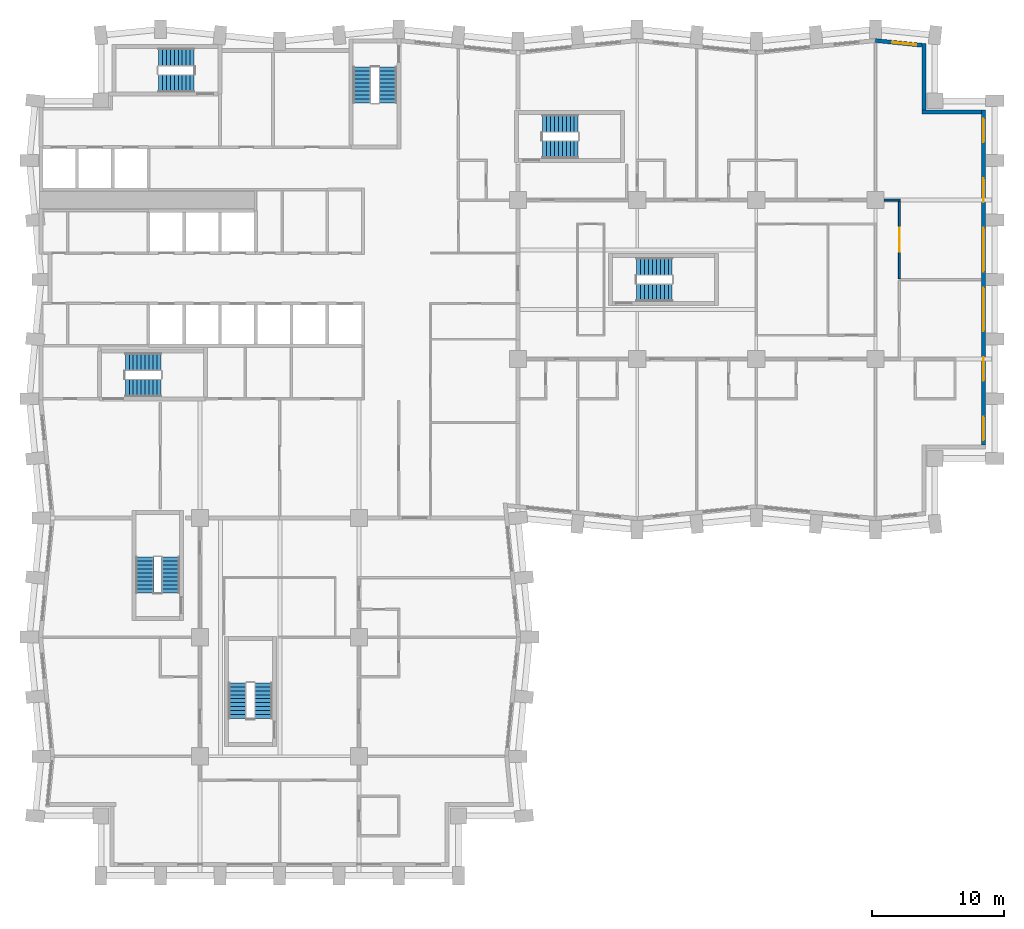
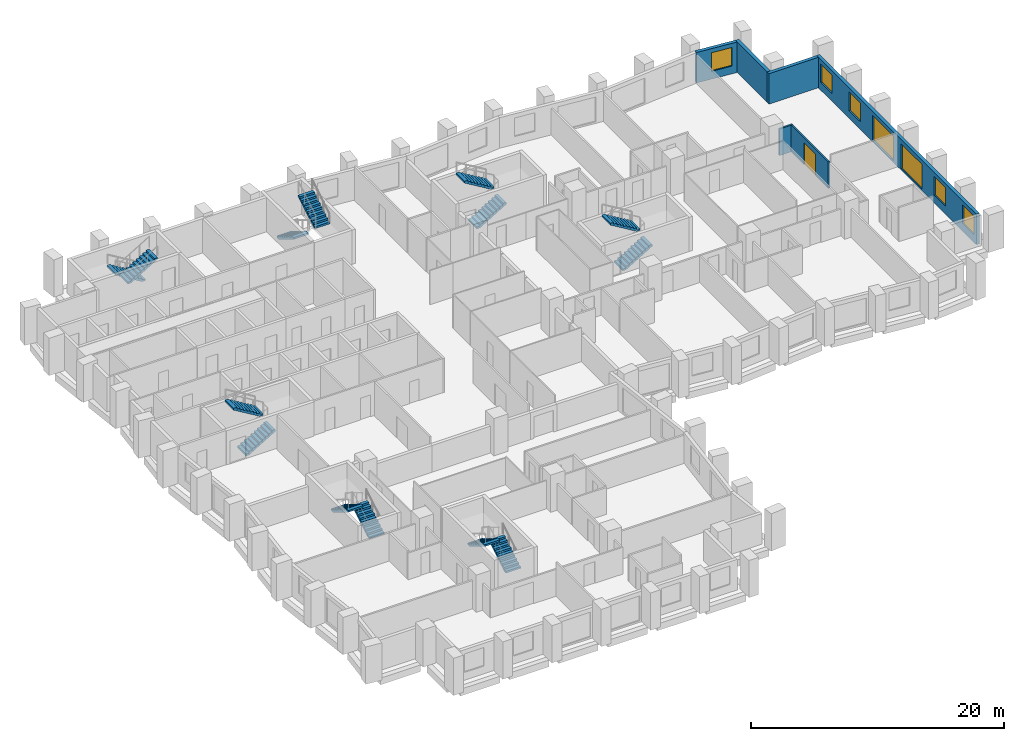
# One storey, part 10 of 12: 14 stair flights, 7 windows, 6 walls, 1 door, 8 openings, 7 elements without a shape of their own.
"""IFC4 building model written with IfcOpenShell, lengths in metres."""

from ifc_helpers import new_model, si_unit, direction, frame, frame_2d, origin, place, context, subcontext, project, spatial, polyline, rectangle, outline, extrude, material, layer, layer_set, type_object, element, fill, aggregate, save


model = new_model("IFC4")

# Units and contexts
model_context = context("Model", 3, precision=1e-05, world=origin(), true_north=direction((0.0, 1.0)))
body_context = subcontext(model_context, "Body", "Model", "MODEL_VIEW")
ifc_project = project(units=[si_unit("LENGTHUNIT", "METRE"), si_unit("AREAUNIT", "SQUARE_METRE"), si_unit("VOLUMEUNIT", "CUBIC_METRE"), si_unit("PLANEANGLEUNIT", "RADIAN"), si_unit("MASSUNIT", "GRAM", prefix="KILO")], contexts=[model_context])

# Site, building, storey
site_placement = place(None, origin())
site = spatial("IfcSite", under=ifc_project, at=site_placement, CompositionType="ELEMENT")
building_placement = place(site_placement, origin())
building = spatial("IfcBuilding", under=site, at=building_placement, Name="Brondeck Convention Tower", CompositionType="ELEMENT")
storey_placement = place(building_placement, frame((0.0, 0.0, 51.89990234375)))
storey = spatial("IfcBuildingStorey", under=building, at=storey_placement, Name="L10", CompositionType="ELEMENT", Elevation=51.89990234375)

# Wall, openings, windows
ifc_material_1 = material(Name="Precast concrete C50/60 bronze finish", Category="concrete")
ifc_layer_1 = layer(ifc_material_1, 0.070068359375, Name="Bronze precast facing")
ifc_material_2 = material(Name="Mineral wool")
ifc_layer_2 = layer(ifc_material_2, 0.159912109375, Name="Insulation")
ifc_material_3 = material(Name="Concrete C35/45", Category="concrete")
ifc_layer_3 = layer(ifc_material_3, 0.070068359375, Name="Backing")
ifc_layer_set_1 = layer_set([ifc_layer_1, ifc_layer_2, ifc_layer_3], Name="External infill wall, precast concrete C50/60 bronze facing")
wall_type_1 = type_object("IfcWallType", Name="External infill wall, precast concrete C50/60 bronze facing", PredefinedType="SOLIDWALL", material=ifc_layer_set_1)
wall_1_placement = place(storey_placement, frame((71.14990234375, 57.800048828125, 0.0), z_axis=(0.0, 0.0, 1.0), x_axis=(0.0, -1.0, 0.0)))
wall_1 = element("IfcWall", 1, at=wall_1_placement, inside=storey, type_object=wall_type_1, Name="ENV-EW-L10-P0-A-E72-01", PredefinedType="SOLIDWALL", context=body_context, shape_type="SweptSolid", body=[
    extrude(rectangle(XDim=25.302001953125, YDim=0.300048828125, at=frame_2d((12.65087890625, 0.0))), origin(), (0.0, 0.0, 1.0), 2.9501953125),
])
opening_1_placement = place(wall_1_placement, frame((0.64990234375, 0.0, 0.75)))
opening_1 = element("IfcOpeningElement", 2, at=opening_1_placement, cuts=wall_1, Name="Opening W10", PredefinedType="OPENING", context=body_context, shape_type="SweptSolid", body=[
    extrude(rectangle(XDim=1.800048828125, YDim=1.800048828125, at=frame_2d((0.89990234375, 0.89990234375))), frame((0.0, 0.159912109375, 0.0), z_axis=(0.0, -1.0, 0.0), x_axis=(1.0, 0.0, 0.0)), (0.0, 0.0, 1.0), 0.320068359375),
])
opening_2_placement = place(wall_1_placement, frame((5.14990234375, 0.0, 0.75)))
opening_2 = element("IfcOpeningElement", 3, at=opening_2_placement, cuts=wall_1, Name="Opening W10", PredefinedType="OPENING", context=body_context, shape_type="SweptSolid", body=[
    extrude(rectangle(XDim=1.800048828125, YDim=1.800048828125, at=frame_2d((0.89990234375, 0.89990234375))), frame((0.0, 0.159912109375, 0.0), z_axis=(0.0, -1.0, 0.0), x_axis=(1.0, 0.0, 0.0)), (0.0, 0.0, 1.0), 0.320068359375),
])
opening_3_placement = place(wall_1_placement, frame((8.89990234375, 0.0, 0.14990234375)))
opening_3 = element("IfcOpeningElement", 4, at=opening_3_placement, cuts=wall_1, Name="Opening W9", PredefinedType="OPENING", context=body_context, shape_type="SweptSolid", body=[
    extrude(rectangle(XDim=3.300048828125, YDim=2.39990234375, at=frame_2d((1.64990234375, 1.199951171875))), frame((0.0, 0.159912109375, 0.0), z_axis=(0.0, -1.0, 0.0), x_axis=(1.0, 0.0, 0.0)), (0.0, 0.0, 1.0), 0.320068359375),
])
opening_4_placement = place(wall_1_placement, frame((13.39990234375, 0.0, 0.14990234375)))
opening_4 = element("IfcOpeningElement", 5, at=opening_4_placement, cuts=wall_1, Name="Opening W9", PredefinedType="OPENING", context=body_context, shape_type="SweptSolid", body=[
    extrude(rectangle(XDim=3.300048828125, YDim=2.39990234375, at=frame_2d((1.64990234375, 1.199951171875))), frame((0.0, 0.159912109375, 0.0), z_axis=(0.0, -1.0, 0.0), x_axis=(1.0, 0.0, 0.0)), (0.0, 0.0, 1.0), 0.320068359375),
])
opening_5_placement = place(wall_1_placement, frame((18.64990234375, 0.0, 0.75)))
opening_5 = element("IfcOpeningElement", 6, at=opening_5_placement, cuts=wall_1, Name="Opening W10", PredefinedType="OPENING", context=body_context, shape_type="SweptSolid", body=[
    extrude(rectangle(XDim=1.800048828125, YDim=1.800048828125, at=frame_2d((0.89990234375, 0.89990234375))), frame((0.0, 0.159912109375, 0.0), z_axis=(0.0, -1.0, 0.0), x_axis=(1.0, 0.0, 0.0)), (0.0, 0.0, 1.0), 0.320068359375),
])
opening_6_placement = place(wall_1_placement, frame((23.14990234375, 0.0, 0.75)))
opening_6 = element("IfcOpeningElement", 7, at=opening_6_placement, cuts=wall_1, Name="Opening W10", PredefinedType="OPENING", context=body_context, shape_type="SweptSolid", body=[
    extrude(rectangle(XDim=1.800048828125, YDim=1.800048828125, at=frame_2d((0.89990234375, 0.89990234375))), frame((0.0, 0.159912109375, 0.0), z_axis=(0.0, -1.0, 0.0), x_axis=(1.0, 0.0, 0.0)), (0.0, 0.0, 1.0), 0.320068359375),
])
ifc_material_4 = material(Name="Bronze tinted double glazing", Category="glass")
window_type_1 = type_object("IfcWindowType", Name="Glazed flute window, bronze tinted", PartitioningType="SINGLE_PANEL", PredefinedType="WINDOW", material=ifc_material_4)
window_1_placement = place(opening_3_placement, origin())
window_1 = element("IfcWindow", 8, at=window_1_placement, inside=storey, type_object=window_type_1, Name="ENV-WN-L10-P0-A-E72-04", OverallHeight=2.39990234375, OverallWidth=3.300048828125, PartitioningType="SINGLE_PANEL", PredefinedType="WINDOW", context=body_context, shape_type="SweptSolid", body=[
    extrude(rectangle(XDim=3.300048828125, YDim=2.39990234375, at=frame_2d((1.64990234375, 1.199951171875))), frame((0.0, 0.030029296875, 0.0), z_axis=(0.0, -1.0, 0.0), x_axis=(1.0, 0.0, 0.0)), (0.0, 0.0, 1.0), 0.06005859375),
])
fill(opening_3, window_1)
window_2_placement = place(opening_4_placement, origin())
window_2 = element("IfcWindow", 9, at=window_2_placement, inside=storey, type_object=window_type_1, Name="ENV-WN-L10-P0-A-E72-03", OverallHeight=2.39990234375, OverallWidth=3.300048828125, PartitioningType="SINGLE_PANEL", PredefinedType="WINDOW", context=body_context, shape_type="SweptSolid", body=[
    extrude(rectangle(XDim=3.300048828125, YDim=2.39990234375, at=frame_2d((1.64990234375, 1.199951171875))), frame((0.0, 0.030029296875, 0.0), z_axis=(0.0, -1.0, 0.0), x_axis=(1.0, 0.0, 0.0)), (0.0, 0.0, 1.0), 0.06005859375),
])
fill(opening_4, window_2)
window_type_2 = type_object("IfcWindowType", Name="Punched window, bronze tinted", PartitioningType="SINGLE_PANEL", PredefinedType="WINDOW", material=ifc_material_4)
window_3_placement = place(opening_1_placement, origin())
window_3 = element("IfcWindow", 10, at=window_3_placement, inside=storey, type_object=window_type_2, Name="ENV-WN-L10-P0-A-E72-06", OverallHeight=1.800048828125, OverallWidth=1.800048828125, PartitioningType="SINGLE_PANEL", PredefinedType="WINDOW", context=body_context, shape_type="SweptSolid", body=[
    extrude(rectangle(XDim=1.800048828125, YDim=1.800048828125, at=frame_2d((0.89990234375, 0.89990234375))), frame((0.0, 0.030029296875, 0.0), z_axis=(0.0, -1.0, 0.0), x_axis=(1.0, 0.0, 0.0)), (0.0, 0.0, 1.0), 0.06005859375),
])
fill(opening_1, window_3)
window_4_placement = place(opening_2_placement, origin())
window_4 = element("IfcWindow", 11, at=window_4_placement, inside=storey, type_object=window_type_2, Name="ENV-WN-L10-P0-A-E72-05", OverallHeight=1.800048828125, OverallWidth=1.800048828125, PartitioningType="SINGLE_PANEL", PredefinedType="WINDOW", context=body_context, shape_type="SweptSolid", body=[
    extrude(rectangle(XDim=1.800048828125, YDim=1.800048828125, at=frame_2d((0.89990234375, 0.89990234375))), frame((0.0, 0.030029296875, 0.0), z_axis=(0.0, -1.0, 0.0), x_axis=(1.0, 0.0, 0.0)), (0.0, 0.0, 1.0), 0.06005859375),
])
fill(opening_2, window_4)
window_5_placement = place(opening_5_placement, origin())
window_5 = element("IfcWindow", 12, at=window_5_placement, inside=storey, type_object=window_type_2, Name="ENV-WN-L10-P0-A-E72-02", OverallHeight=1.800048828125, OverallWidth=1.800048828125, PartitioningType="SINGLE_PANEL", PredefinedType="WINDOW", context=body_context, shape_type="SweptSolid", body=[
    extrude(rectangle(XDim=1.800048828125, YDim=1.800048828125, at=frame_2d((0.89990234375, 0.89990234375))), frame((0.0, 0.030029296875, 0.0), z_axis=(0.0, -1.0, 0.0), x_axis=(1.0, 0.0, 0.0)), (0.0, 0.0, 1.0), 0.06005859375),
])
fill(opening_5, window_5)
window_6_placement = place(opening_6_placement, origin())
window_6 = element("IfcWindow", 13, at=window_6_placement, inside=storey, type_object=window_type_2, Name="ENV-WN-L10-P0-A-E72-01", OverallHeight=1.800048828125, OverallWidth=1.800048828125, PartitioningType="SINGLE_PANEL", PredefinedType="WINDOW", context=body_context, shape_type="SweptSolid", body=[
    extrude(rectangle(XDim=1.800048828125, YDim=1.800048828125, at=frame_2d((0.89990234375, 0.89990234375))), frame((0.0, 0.030029296875, 0.0), z_axis=(0.0, -1.0, 0.0), x_axis=(1.0, 0.0, 0.0)), (0.0, 0.0, 1.0), 0.06005859375),
])
fill(opening_6, window_6)

# Walls
wall_2_placement = place(storey_placement, frame((66.5, 57.64990234375, 0.0), z_axis=(0.0, 0.0, 1.0), x_axis=(1.0, 0.0, 0.0)))
element("IfcWall", 14, at=wall_2_placement, inside=storey, type_object=wall_type_1, Name="ENV-EW-L10-P0-NC-NEA72-01", PredefinedType="SOLIDWALL", context=body_context, shape_type="SweptSolid", body=[
    extrude(rectangle(XDim=4.5, YDim=0.300048828125, at=frame_2d((2.25, 0.0))), origin(), (0.0, 0.0, 1.0), 2.9501953125),
])
wall_3_placement = place(storey_placement, frame((66.64990234375, 62.81640625, 0.0), z_axis=(0.0, 0.0, 1.0), x_axis=(0.0, -1.0, 0.0)))
element("IfcWall", 15, at=wall_3_placement, inside=storey, type_object=wall_type_1, Name="ENV-EW-L10-P0-NC-NEA72-02", PredefinedType="SOLIDWALL", context=body_context, shape_type="SweptSolid", body=[
    extrude(rectangle(XDim=5.018310546875, YDim=0.300048828125, at=frame_2d((2.50927734375, 0.0))), origin(), (0.0, 0.0, 1.0), 2.9501953125),
])

# Wall, opening, window
wall_4_placement = place(storey_placement, frame((62.985107421875, 63.04736328125, 0.0), z_axis=(0.0, 0.0, 1.0), x_axis=(0.995031712439, -0.099558481511, 0.0)))
wall_4 = element("IfcWall", 16, at=wall_4_placement, inside=storey, type_object=wall_type_1, Name="ENV-EW-L10-P0-A-N-14", PredefinedType="SOLIDWALL", context=body_context, shape_type="SweptSolid", body=[
    extrude(rectangle(XDim=3.53125, YDim=0.300048828125, at=frame_2d((1.765625, 0.0))), origin(), (0.0, 0.0, 1.0), 2.9501953125),
])
opening_7_placement = place(wall_4_placement, frame((1.291259765625, 0.0, 0.75)))
opening_7 = element("IfcOpeningElement", 17, at=opening_7_placement, cuts=wall_4, Name="Opening W10", PredefinedType="OPENING", context=body_context, shape_type="SweptSolid", body=[
    extrude(rectangle(XDim=1.800048828125, YDim=1.800048828125, at=frame_2d((0.89990234375, 0.89990234375))), frame((0.0, 0.159912109375, 0.0), z_axis=(0.0, -1.0, 0.0), x_axis=(1.0, 0.0, 0.0)), (0.0, 0.0, 1.0), 0.320068359375),
])
window_7_placement = place(opening_7_placement, origin())
window_7 = element("IfcWindow", 18, at=window_7_placement, inside=storey, type_object=window_type_2, Name="ENV-WN-L10-P0-A-N-14", OverallHeight=1.800048828125, OverallWidth=1.800048828125, PartitioningType="SINGLE_PANEL", PredefinedType="WINDOW", context=body_context, shape_type="SweptSolid", body=[
    extrude(rectangle(XDim=1.800048828125, YDim=1.800048828125, at=frame_2d((0.89990234375, 0.89990234375))), frame((0.0, 0.030029296875, 0.0), z_axis=(0.0, -1.0, 0.0), x_axis=(1.0, 0.0, 0.0)), (0.0, 0.0, 1.0), 0.06005859375),
])
fill(opening_7, window_7)

# Wall, opening, door
ifc_material_5 = material(Name="Double gypsum board acoustic wall")
ifc_layer_4 = layer(ifc_material_5, 0.14990234375)
ifc_layer_set_2 = layer_set([ifc_layer_4], Name="Guest room party wall 150")
wall_type_2 = type_object("IfcWallType", Name="Guest room party wall 150", PredefinedType="PARTITIONING", material=ifc_layer_set_2)
wall_5_placement = place(storey_placement, frame((64.800048828125, 50.925048828125, 0.0), z_axis=(0.0, 0.0, 1.0), x_axis=(0.0, -1.0, 0.0)))
wall_5 = element("IfcWall", 19, at=wall_5_placement, inside=storey, type_object=wall_type_2, Name="FLR-L10-W102", PredefinedType="PARTITIONING", context=body_context, shape_type="SweptSolid", body=[
    extrude(rectangle(XDim=5.85009765625, YDim=0.14990234375, at=frame_2d((2.925048828125, 0.0))), origin(), (0.0, 0.0, 1.0), 2.580078125),
])
opening_8_placement = place(wall_5_placement, frame((2.02490234375, 0.0, 0.0)))
opening_8 = element("IfcOpeningElement", 20, at=opening_8_placement, cuts=wall_5, Name="Opening H2-019", PredefinedType="OPENING", context=body_context, shape_type="SweptSolid", body=[
    extrude(rectangle(XDim=1.800048828125, YDim=2.10009765625, at=frame_2d((0.89990234375, 1.050048828125))), frame((0.0, 0.0849609375, 0.0), z_axis=(0.0, -1.0, 0.0), x_axis=(1.0, 0.0, 0.0)), (0.0, 0.0, 1.0), 0.169921875),
])
ifc_material_6 = material(Name="Glazed timber double door", Category="wood")
door_type = type_object("IfcDoorType", Name="Double door 1800", OperationType="DOUBLE_DOOR_SINGLE_SWING", PredefinedType="DOOR", material=ifc_material_6)
door_placement = place(opening_8_placement, origin())
door = element("IfcDoor", 21, at=door_placement, inside=storey, type_object=door_type, Name="Door H2-019", OperationType="DOUBLE_DOOR_SINGLE_SWING", OverallHeight=2.10009765625, OverallWidth=1.800048828125, PredefinedType="DOOR", context=body_context, shape_type="SweptSolid", body=[
    extrude(rectangle(XDim=1.800048828125, YDim=2.10009765625, at=frame_2d((0.89990234375, 1.050048828125))), frame((0.0, 0.02490234375, 0.0), z_axis=(0.0, -1.0, 0.0), x_axis=(1.0, 0.0, 0.0)), (0.0, 0.0, 1.0), 0.050048828125),
])
fill(opening_8, door)

# Wall
wall_6_placement = place(storey_placement, frame((63.655029296875, 51.0, 0.0), z_axis=(0.0, 0.0, 1.0), x_axis=(1.0, 0.0, 0.0)))
element("IfcWall", 22, at=wall_6_placement, inside=storey, type_object=wall_type_2, Name="FLR-L10-W113", PredefinedType="PARTITIONING", context=body_context, shape_type="SweptSolid", body=[
    extrude(rectangle(XDim=1.219970703125, YDim=0.14990234375, at=frame_2d((0.60986328125, 0.0))), origin(), (0.0, 0.0, 1.0), 2.580078125),
])

# Stair, stair flights
ifc_material_7 = material(Name="Precast concrete C50/60", Category="concrete")
stair_type = type_object("IfcStairType", Name="Core stair 20 risers 180.00 mm riser 300 mm going 1350 wide", PredefinedType="HALF_TURN_STAIR", material=ifc_material_7)
stair_1_placement = place(storey_placement, origin())
stair_1 = element("IfcStair", 23, at=stair_1_placement, inside=storey, type_object=stair_type, Name="ST-1 L10 stair", PredefinedType="HALF_TURN_STAIR")
stair_flight_type = type_object("IfcStairFlightType", Name="Core stair flight 20 risers 180.00 mm riser 300 mm going 1350 wide", PredefinedType="STRAIGHT", material=ifc_material_7)
stair_flight_1_placement = place(storey_placement, frame((6.35009765625, 36.824951171875, 0.0), z_axis=(0.0, 0.0, 1.0), x_axis=(1.0, 0.0, 0.0)))
stair_flight_1 = element("IfcStairFlight", 24, at=stair_flight_1_placement, type_object=stair_flight_type, Name="ST-1 flight 1", NumberOfRisers=10, NumberOfTreads=9, PredefinedType="STRAIGHT", RiserHeight=0.18, TreadLength=0.3, context=body_context, shape_type="SweptSolid", body=[
    extrude(outline(polyline([(0.0, 0.0), (0.0, 0.179931640625), (0.300048828125, 0.179931640625), (0.300048828125, 0.360107421875), (0.60009765625, 0.360107421875), (0.60009765625, 0.5400390625), (0.89990234375, 0.5400390625), (0.89990234375, 0.719970703125), (1.199951171875, 0.719970703125), (1.199951171875, 0.89990234375), (1.5, 0.89990234375), (1.5, 1.080078125), (1.800048828125, 1.080078125), (1.800048828125, 1.260009765625), (2.10009765625, 1.260009765625), (2.10009765625, 1.43994140625), (2.39990234375, 1.43994140625), (2.39990234375, 1.6201171875), (2.699951171875, 1.6201171875), (2.699951171875, 1.800048828125), (2.699951171875, 1.445068359375), (0.291259765625, 0.0), (0.0, 0.0)])), frame((0.0, 0.675048828125, 0.0), z_axis=(0.0, -1.0, 0.0), x_axis=(1.0, 0.0, 0.0)), (0.0, 0.0, 1.0), 1.35009765625),
])
stair_flight_2_placement = place(storey_placement, frame((9.050048828125, 38.77490234375, 1.800048828125), z_axis=(0.0, 0.0, 1.0), x_axis=(-1.0, 0.0, 0.0)))
stair_flight_2 = element("IfcStairFlight", 25, at=stair_flight_2_placement, type_object=stair_flight_type, Name="ST-1 flight 2", NumberOfRisers=10, NumberOfTreads=9, PredefinedType="STRAIGHT", RiserHeight=0.18, TreadLength=0.3, context=body_context, shape_type="SweptSolid", body=[
    extrude(outline(polyline([(0.0, 0.0), (0.0, 0.179931640625), (0.300048828125, 0.179931640625), (0.300048828125, 0.360107421875), (0.60009765625, 0.360107421875), (0.60009765625, 0.5400390625), (0.89990234375, 0.5400390625), (0.89990234375, 0.719970703125), (1.199951171875, 0.719970703125), (1.199951171875, 0.89990234375), (1.5, 0.89990234375), (1.5, 1.080078125), (1.800048828125, 1.080078125), (1.800048828125, 1.260009765625), (2.10009765625, 1.260009765625), (2.10009765625, 1.43994140625), (2.39990234375, 1.43994140625), (2.39990234375, 1.6201171875), (2.699951171875, 1.6201171875), (2.699951171875, 1.800048828125), (2.699951171875, 1.445068359375), (0.291259765625, 0.0), (0.0, 0.0)])), frame((0.0, 0.675048828125, 0.0), z_axis=(0.0, -1.0, 0.0), x_axis=(1.0, 0.0, 0.0)), (0.0, 0.0, 1.0), 1.35009765625),
])
aggregate(stair_1, [stair_flight_1, stair_flight_2])

stair_2_placement = place(storey_placement, origin())
stair_2 = element("IfcStair", 26, at=stair_2_placement, inside=storey, type_object=stair_type, Name="ST-2 L10 stair", PredefinedType="HALF_TURN_STAIR")
stair_flight_3_placement = place(storey_placement, frame((24.22509765625, 61.050048828125, 0.0), z_axis=(0.0, 0.0, 1.0), x_axis=(0.0, -1.0, 0.0)))
stair_flight_3 = element("IfcStairFlight", 27, at=stair_flight_3_placement, type_object=stair_flight_type, Name="ST-2 flight 1", NumberOfRisers=10, NumberOfTreads=9, PredefinedType="STRAIGHT", RiserHeight=0.18, TreadLength=0.3, context=body_context, shape_type="SweptSolid", body=[
    extrude(outline(polyline([(0.0, 0.0), (0.0, 0.179931640625), (0.300048828125, 0.179931640625), (0.300048828125, 0.360107421875), (0.60009765625, 0.360107421875), (0.60009765625, 0.5400390625), (0.89990234375, 0.5400390625), (0.89990234375, 0.719970703125), (1.199951171875, 0.719970703125), (1.199951171875, 0.89990234375), (1.5, 0.89990234375), (1.5, 1.080078125), (1.800048828125, 1.080078125), (1.800048828125, 1.260009765625), (2.10009765625, 1.260009765625), (2.10009765625, 1.43994140625), (2.39990234375, 1.43994140625), (2.39990234375, 1.6201171875), (2.699951171875, 1.6201171875), (2.699951171875, 1.800048828125), (2.699951171875, 1.445068359375), (0.291259765625, 0.0), (0.0, 0.0)])), frame((0.0, 0.675048828125, 0.0), z_axis=(0.0, -1.0, 0.0), x_axis=(1.0, 0.0, 0.0)), (0.0, 0.0, 1.0), 1.35009765625),
])
stair_flight_4_placement = place(storey_placement, frame((26.175048828125, 58.35009765625, 1.800048828125), z_axis=(0.0, 0.0, 1.0), x_axis=(0.0, 1.0, 0.0)))
stair_flight_4 = element("IfcStairFlight", 28, at=stair_flight_4_placement, type_object=stair_flight_type, Name="ST-2 flight 2", NumberOfRisers=10, NumberOfTreads=9, PredefinedType="STRAIGHT", RiserHeight=0.18, TreadLength=0.3, context=body_context, shape_type="SweptSolid", body=[
    extrude(outline(polyline([(0.0, 0.0), (0.0, 0.179931640625), (0.300048828125, 0.179931640625), (0.300048828125, 0.360107421875), (0.60009765625, 0.360107421875), (0.60009765625, 0.5400390625), (0.89990234375, 0.5400390625), (0.89990234375, 0.719970703125), (1.199951171875, 0.719970703125), (1.199951171875, 0.89990234375), (1.5, 0.89990234375), (1.5, 1.080078125), (1.800048828125, 1.080078125), (1.800048828125, 1.260009765625), (2.10009765625, 1.260009765625), (2.10009765625, 1.43994140625), (2.39990234375, 1.43994140625), (2.39990234375, 1.6201171875), (2.699951171875, 1.6201171875), (2.699951171875, 1.800048828125), (2.699951171875, 1.445068359375), (0.291259765625, 0.0), (0.0, 0.0)])), frame((0.0, 0.675048828125, 0.0), z_axis=(0.0, -1.0, 0.0), x_axis=(1.0, 0.0, 0.0)), (0.0, 0.0, 1.0), 1.35009765625),
])
aggregate(stair_2, [stair_flight_3, stair_flight_4])

stair_3_placement = place(storey_placement, origin())
stair_3 = element("IfcStair", 29, at=stair_3_placement, inside=storey, type_object=stair_type, Name="ST-3 L10 stair", PredefinedType="HALF_TURN_STAIR")
stair_flight_5_placement = place(storey_placement, frame((11.550048828125, 61.77490234375, 0.0), z_axis=(0.0, 0.0, 1.0), x_axis=(-1.0, 0.0, 0.0)))
stair_flight_5 = element("IfcStairFlight", 30, at=stair_flight_5_placement, type_object=stair_flight_type, Name="ST-3 flight 1", NumberOfRisers=10, NumberOfTreads=9, PredefinedType="STRAIGHT", RiserHeight=0.18, TreadLength=0.3, context=body_context, shape_type="SweptSolid", body=[
    extrude(outline(polyline([(0.0, 0.0), (0.0, 0.179931640625), (0.300048828125, 0.179931640625), (0.300048828125, 0.360107421875), (0.60009765625, 0.360107421875), (0.60009765625, 0.5400390625), (0.89990234375, 0.5400390625), (0.89990234375, 0.719970703125), (1.199951171875, 0.719970703125), (1.199951171875, 0.89990234375), (1.5, 0.89990234375), (1.5, 1.080078125), (1.800048828125, 1.080078125), (1.800048828125, 1.260009765625), (2.10009765625, 1.260009765625), (2.10009765625, 1.43994140625), (2.39990234375, 1.43994140625), (2.39990234375, 1.6201171875), (2.699951171875, 1.6201171875), (2.699951171875, 1.800048828125), (2.699951171875, 1.445068359375), (0.291259765625, 0.0), (0.0, 0.0)])), frame((0.0, 0.675048828125, 0.0), z_axis=(0.0, -1.0, 0.0), x_axis=(1.0, 0.0, 0.0)), (0.0, 0.0, 1.0), 1.35009765625),
])
stair_flight_6_placement = place(storey_placement, frame((8.85009765625, 59.824951171875, 1.800048828125), z_axis=(0.0, 0.0, 1.0), x_axis=(1.0, 0.0, 0.0)))
stair_flight_6 = element("IfcStairFlight", 31, at=stair_flight_6_placement, type_object=stair_flight_type, Name="ST-3 flight 2", NumberOfRisers=10, NumberOfTreads=9, PredefinedType="STRAIGHT", RiserHeight=0.18, TreadLength=0.3, context=body_context, shape_type="SweptSolid", body=[
    extrude(outline(polyline([(0.0, 0.0), (0.0, 0.179931640625), (0.300048828125, 0.179931640625), (0.300048828125, 0.360107421875), (0.60009765625, 0.360107421875), (0.60009765625, 0.5400390625), (0.89990234375, 0.5400390625), (0.89990234375, 0.719970703125), (1.199951171875, 0.719970703125), (1.199951171875, 0.89990234375), (1.5, 0.89990234375), (1.5, 1.080078125), (1.800048828125, 1.080078125), (1.800048828125, 1.260009765625), (2.10009765625, 1.260009765625), (2.10009765625, 1.43994140625), (2.39990234375, 1.43994140625), (2.39990234375, 1.6201171875), (2.699951171875, 1.6201171875), (2.699951171875, 1.800048828125), (2.699951171875, 1.445068359375), (0.291259765625, 0.0), (0.0, 0.0)])), frame((0.0, 0.675048828125, 0.0), z_axis=(0.0, -1.0, 0.0), x_axis=(1.0, 0.0, 0.0)), (0.0, 0.0, 1.0), 1.35009765625),
])
aggregate(stair_3, [stair_flight_5, stair_flight_6])

stair_4_placement = place(storey_placement, origin())
stair_4 = element("IfcStair", 32, at=stair_4_placement, inside=storey, type_object=stair_type, Name="ST-AE L10 stair", PredefinedType="HALF_TURN_STAIR")
stair_flight_7_placement = place(storey_placement, frame((37.85009765625, 54.824951171875, 0.0), z_axis=(0.0, 0.0, 1.0), x_axis=(1.0, 0.0, 0.0)))
stair_flight_7 = element("IfcStairFlight", 33, at=stair_flight_7_placement, type_object=stair_flight_type, Name="ST-AE flight 1", NumberOfRisers=10, NumberOfTreads=9, PredefinedType="STRAIGHT", RiserHeight=0.18, TreadLength=0.3, context=body_context, shape_type="SweptSolid", body=[
    extrude(outline(polyline([(0.0, 0.0), (0.0, 0.179931640625), (0.300048828125, 0.179931640625), (0.300048828125, 0.360107421875), (0.60009765625, 0.360107421875), (0.60009765625, 0.5400390625), (0.89990234375, 0.5400390625), (0.89990234375, 0.719970703125), (1.199951171875, 0.719970703125), (1.199951171875, 0.89990234375), (1.5, 0.89990234375), (1.5, 1.080078125), (1.800048828125, 1.080078125), (1.800048828125, 1.260009765625), (2.10009765625, 1.260009765625), (2.10009765625, 1.43994140625), (2.39990234375, 1.43994140625), (2.39990234375, 1.6201171875), (2.699951171875, 1.6201171875), (2.699951171875, 1.800048828125), (2.699951171875, 1.445068359375), (0.291259765625, 0.0), (0.0, 0.0)])), frame((0.0, 0.675048828125, 0.0), z_axis=(0.0, -1.0, 0.0), x_axis=(1.0, 0.0, 0.0)), (0.0, 0.0, 1.0), 1.35009765625),
])
stair_flight_8_placement = place(storey_placement, frame((40.550048828125, 56.77490234375, 1.800048828125), z_axis=(0.0, 0.0, 1.0), x_axis=(-1.0, 0.0, 0.0)))
stair_flight_8 = element("IfcStairFlight", 34, at=stair_flight_8_placement, type_object=stair_flight_type, Name="ST-AE flight 2", NumberOfRisers=10, NumberOfTreads=9, PredefinedType="STRAIGHT", RiserHeight=0.18, TreadLength=0.3, context=body_context, shape_type="SweptSolid", body=[
    extrude(outline(polyline([(0.0, 0.0), (0.0, 0.179931640625), (0.300048828125, 0.179931640625), (0.300048828125, 0.360107421875), (0.60009765625, 0.360107421875), (0.60009765625, 0.5400390625), (0.89990234375, 0.5400390625), (0.89990234375, 0.719970703125), (1.199951171875, 0.719970703125), (1.199951171875, 0.89990234375), (1.5, 0.89990234375), (1.5, 1.080078125), (1.800048828125, 1.080078125), (1.800048828125, 1.260009765625), (2.10009765625, 1.260009765625), (2.10009765625, 1.43994140625), (2.39990234375, 1.43994140625), (2.39990234375, 1.6201171875), (2.699951171875, 1.6201171875), (2.699951171875, 1.800048828125), (2.699951171875, 1.445068359375), (0.291259765625, 0.0), (0.0, 0.0)])), frame((0.0, 0.675048828125, 0.0), z_axis=(0.0, -1.0, 0.0), x_axis=(1.0, 0.0, 0.0)), (0.0, 0.0, 1.0), 1.35009765625),
])
aggregate(stair_4, [stair_flight_7, stair_flight_8])

stair_5_placement = place(storey_placement, origin())
stair_5 = element("IfcStair", 35, at=stair_5_placement, inside=storey, type_object=stair_type, Name="ST-BE L10 stair", PredefinedType="HALF_TURN_STAIR")
stair_flight_9_placement = place(storey_placement, frame((9.77490234375, 21.35009765625, 0.0), z_axis=(0.0, 0.0, 1.0), x_axis=(0.0, 1.0, 0.0)))
stair_flight_9 = element("IfcStairFlight", 36, at=stair_flight_9_placement, type_object=stair_flight_type, Name="ST-BE flight 1", NumberOfRisers=10, NumberOfTreads=9, PredefinedType="STRAIGHT", RiserHeight=0.18, TreadLength=0.3, context=body_context, shape_type="SweptSolid", body=[
    extrude(outline(polyline([(0.0, 0.0), (0.0, 0.179931640625), (0.300048828125, 0.179931640625), (0.300048828125, 0.360107421875), (0.60009765625, 0.360107421875), (0.60009765625, 0.5400390625), (0.89990234375, 0.5400390625), (0.89990234375, 0.719970703125), (1.199951171875, 0.719970703125), (1.199951171875, 0.89990234375), (1.5, 0.89990234375), (1.5, 1.080078125), (1.800048828125, 1.080078125), (1.800048828125, 1.260009765625), (2.10009765625, 1.260009765625), (2.10009765625, 1.43994140625), (2.39990234375, 1.43994140625), (2.39990234375, 1.6201171875), (2.699951171875, 1.6201171875), (2.699951171875, 1.800048828125), (2.699951171875, 1.445068359375), (0.291259765625, 0.0), (0.0, 0.0)])), frame((0.0, 0.675048828125, 0.0), z_axis=(0.0, -1.0, 0.0), x_axis=(1.0, 0.0, 0.0)), (0.0, 0.0, 1.0), 1.35009765625),
])
stair_flight_10_placement = place(storey_placement, frame((7.824951171875, 24.050048828125, 1.800048828125), z_axis=(0.0, 0.0, 1.0), x_axis=(0.0, -1.0, 0.0)))
stair_flight_10 = element("IfcStairFlight", 37, at=stair_flight_10_placement, type_object=stair_flight_type, Name="ST-BE flight 2", NumberOfRisers=10, NumberOfTreads=9, PredefinedType="STRAIGHT", RiserHeight=0.18, TreadLength=0.3, context=body_context, shape_type="SweptSolid", body=[
    extrude(outline(polyline([(0.0, 0.0), (0.0, 0.179931640625), (0.300048828125, 0.179931640625), (0.300048828125, 0.360107421875), (0.60009765625, 0.360107421875), (0.60009765625, 0.5400390625), (0.89990234375, 0.5400390625), (0.89990234375, 0.719970703125), (1.199951171875, 0.719970703125), (1.199951171875, 0.89990234375), (1.5, 0.89990234375), (1.5, 1.080078125), (1.800048828125, 1.080078125), (1.800048828125, 1.260009765625), (2.10009765625, 1.260009765625), (2.10009765625, 1.43994140625), (2.39990234375, 1.43994140625), (2.39990234375, 1.6201171875), (2.699951171875, 1.6201171875), (2.699951171875, 1.800048828125), (2.699951171875, 1.445068359375), (0.291259765625, 0.0), (0.0, 0.0)])), frame((0.0, 0.675048828125, 0.0), z_axis=(0.0, -1.0, 0.0), x_axis=(1.0, 0.0, 0.0)), (0.0, 0.0, 1.0), 1.35009765625),
])
aggregate(stair_5, [stair_flight_9, stair_flight_10])

stair_6_placement = place(storey_placement, origin())
stair_6 = element("IfcStair", 38, at=stair_6_placement, inside=storey, type_object=stair_type, Name="ST-AF L10 stair", PredefinedType="HALF_TURN_STAIR")
stair_flight_11_placement = place(storey_placement, frame((44.949951171875, 44.02490234375, 0.0), z_axis=(0.0, 0.0, 1.0), x_axis=(1.0, 0.0, 0.0)))
stair_flight_11 = element("IfcStairFlight", 39, at=stair_flight_11_placement, type_object=stair_flight_type, Name="ST-AF flight 1", NumberOfRisers=10, NumberOfTreads=9, PredefinedType="STRAIGHT", RiserHeight=0.18, TreadLength=0.3, context=body_context, shape_type="SweptSolid", body=[
    extrude(outline(polyline([(0.0, 0.0), (0.0, 0.179931640625), (0.300048828125, 0.179931640625), (0.300048828125, 0.360107421875), (0.60009765625, 0.360107421875), (0.60009765625, 0.5400390625), (0.89990234375, 0.5400390625), (0.89990234375, 0.719970703125), (1.199951171875, 0.719970703125), (1.199951171875, 0.89990234375), (1.5, 0.89990234375), (1.5, 1.080078125), (1.800048828125, 1.080078125), (1.800048828125, 1.260009765625), (2.10009765625, 1.260009765625), (2.10009765625, 1.43994140625), (2.39990234375, 1.43994140625), (2.39990234375, 1.6201171875), (2.699951171875, 1.6201171875), (2.699951171875, 1.800048828125), (2.699951171875, 1.445068359375), (0.291259765625, 0.0), (0.0, 0.0)])), frame((0.0, 0.675048828125, 0.0), z_axis=(0.0, -1.0, 0.0), x_axis=(1.0, 0.0, 0.0)), (0.0, 0.0, 1.0), 1.35009765625),
])
stair_flight_12_placement = place(storey_placement, frame((47.64990234375, 45.97509765625, 1.800048828125), z_axis=(0.0, 0.0, 1.0), x_axis=(-1.0, 0.0, 0.0)))
stair_flight_12 = element("IfcStairFlight", 40, at=stair_flight_12_placement, type_object=stair_flight_type, Name="ST-AF flight 2", NumberOfRisers=10, NumberOfTreads=9, PredefinedType="STRAIGHT", RiserHeight=0.18, TreadLength=0.3, context=body_context, shape_type="SweptSolid", body=[
    extrude(outline(polyline([(0.0, 0.0), (0.0, 0.179931640625), (0.300048828125, 0.179931640625), (0.300048828125, 0.360107421875), (0.60009765625, 0.360107421875), (0.60009765625, 0.5400390625), (0.89990234375, 0.5400390625), (0.89990234375, 0.719970703125), (1.199951171875, 0.719970703125), (1.199951171875, 0.89990234375), (1.5, 0.89990234375), (1.5, 1.080078125), (1.800048828125, 1.080078125), (1.800048828125, 1.260009765625), (2.10009765625, 1.260009765625), (2.10009765625, 1.43994140625), (2.39990234375, 1.43994140625), (2.39990234375, 1.6201171875), (2.699951171875, 1.6201171875), (2.699951171875, 1.800048828125), (2.699951171875, 1.445068359375), (0.291259765625, 0.0), (0.0, 0.0)])), frame((0.0, 0.675048828125, 0.0), z_axis=(0.0, -1.0, 0.0), x_axis=(1.0, 0.0, 0.0)), (0.0, 0.0, 1.0), 1.35009765625),
])
aggregate(stair_6, [stair_flight_11, stair_flight_12])

stair_7_placement = place(storey_placement, origin())
stair_7 = element("IfcStair", 41, at=stair_7_placement, inside=storey, type_object=stair_type, Name="ST-BF L10 stair", PredefinedType="HALF_TURN_STAIR")
stair_flight_13_placement = place(storey_placement, frame((16.77490234375, 11.85009765625, 0.0), z_axis=(0.0, 0.0, 1.0), x_axis=(0.0, 1.0, 0.0)))
stair_flight_13 = element("IfcStairFlight", 42, at=stair_flight_13_placement, type_object=stair_flight_type, Name="ST-BF flight 1", NumberOfRisers=10, NumberOfTreads=9, PredefinedType="STRAIGHT", RiserHeight=0.18, TreadLength=0.3, context=body_context, shape_type="SweptSolid", body=[
    extrude(outline(polyline([(0.0, 0.0), (0.0, 0.179931640625), (0.300048828125, 0.179931640625), (0.300048828125, 0.360107421875), (0.60009765625, 0.360107421875), (0.60009765625, 0.5400390625), (0.89990234375, 0.5400390625), (0.89990234375, 0.719970703125), (1.199951171875, 0.719970703125), (1.199951171875, 0.89990234375), (1.5, 0.89990234375), (1.5, 1.080078125), (1.800048828125, 1.080078125), (1.800048828125, 1.260009765625), (2.10009765625, 1.260009765625), (2.10009765625, 1.43994140625), (2.39990234375, 1.43994140625), (2.39990234375, 1.6201171875), (2.699951171875, 1.6201171875), (2.699951171875, 1.800048828125), (2.699951171875, 1.445068359375), (0.291259765625, 0.0), (0.0, 0.0)])), frame((0.0, 0.675048828125, 0.0), z_axis=(0.0, -1.0, 0.0), x_axis=(1.0, 0.0, 0.0)), (0.0, 0.0, 1.0), 1.35009765625),
])
stair_flight_14_placement = place(storey_placement, frame((14.824951171875, 14.550048828125, 1.800048828125), z_axis=(0.0, 0.0, 1.0), x_axis=(0.0, -1.0, 0.0)))
stair_flight_14 = element("IfcStairFlight", 43, at=stair_flight_14_placement, type_object=stair_flight_type, Name="ST-BF flight 2", NumberOfRisers=10, NumberOfTreads=9, PredefinedType="STRAIGHT", RiserHeight=0.18, TreadLength=0.3, context=body_context, shape_type="SweptSolid", body=[
    extrude(outline(polyline([(0.0, 0.0), (0.0, 0.179931640625), (0.300048828125, 0.179931640625), (0.300048828125, 0.360107421875), (0.60009765625, 0.360107421875), (0.60009765625, 0.5400390625), (0.89990234375, 0.5400390625), (0.89990234375, 0.719970703125), (1.199951171875, 0.719970703125), (1.199951171875, 0.89990234375), (1.5, 0.89990234375), (1.5, 1.080078125), (1.800048828125, 1.080078125), (1.800048828125, 1.260009765625), (2.10009765625, 1.260009765625), (2.10009765625, 1.43994140625), (2.39990234375, 1.43994140625), (2.39990234375, 1.6201171875), (2.699951171875, 1.6201171875), (2.699951171875, 1.800048828125), (2.699951171875, 1.445068359375), (0.291259765625, 0.0), (0.0, 0.0)])), frame((0.0, 0.675048828125, 0.0), z_axis=(0.0, -1.0, 0.0), x_axis=(1.0, 0.0, 0.0)), (0.0, 0.0, 1.0), 1.35009765625),
])
aggregate(stair_7, [stair_flight_13, stair_flight_14])

save(model, "model.ifc")
